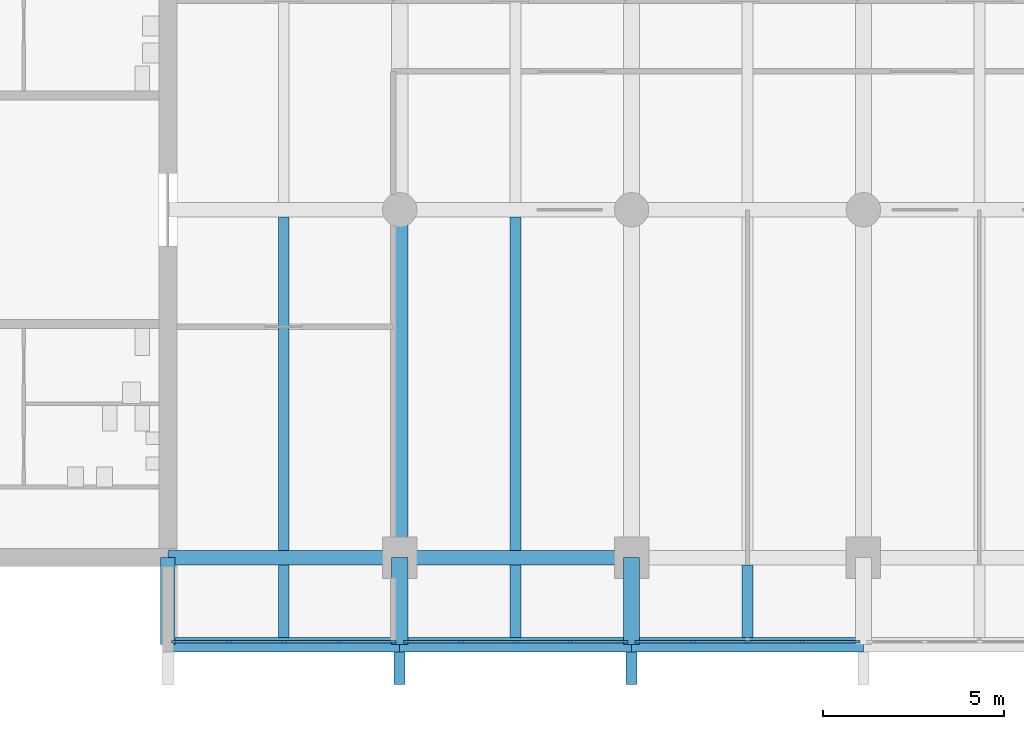
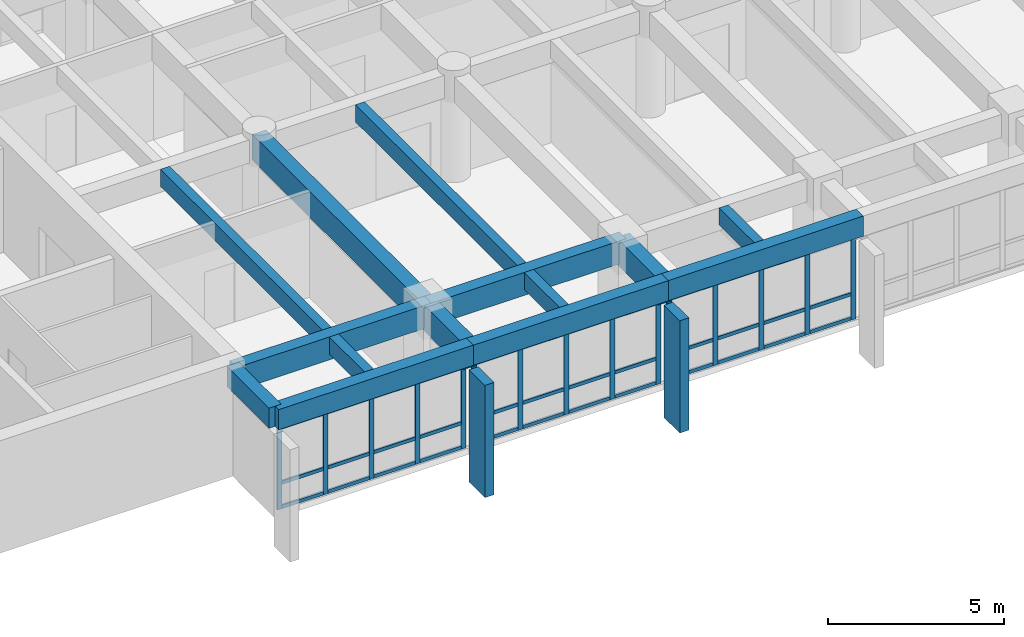
# One storey, part 2 of 15: 52 members, 14 beams, 3 elements without a shape of their own.
"""IFC4 building model written with IfcOpenShell, lengths in metres."""

from ifc_helpers import new_model, si_unit, direction, frame, origin, origin_2d, place, context, subcontext, project, spatial, rectangle, extrude, material, layer, layer_set, material_profile, profile_set, type_object, element, aggregate, save


model = new_model("IFC4")

# Units and contexts
model_context = context("Model", 3, precision=1e-05, world=origin(), true_north=direction((0.0, 1.0)))
body_context = subcontext(model_context, "Body", "Model", "MODEL_VIEW")
ifc_project = project(units=[si_unit("LENGTHUNIT", "METRE"), si_unit("AREAUNIT", "SQUARE_METRE"), si_unit("VOLUMEUNIT", "CUBIC_METRE"), si_unit("PLANEANGLEUNIT", "RADIAN"), si_unit("MASSUNIT", "GRAM", prefix="KILO")], contexts=[model_context])

# Site, building, storey
site_placement = place(None, origin())
site = spatial("IfcSite", under=ifc_project, at=site_placement, CompositionType="ELEMENT")
building_placement = place(site_placement, origin())
building = spatial("IfcBuilding", under=site, at=building_placement, Name="Fogon Plaza Fire Station and Headquarters Tower", CompositionType="ELEMENT")
storey_placement = place(building_placement, frame((0.0, 0.0, 40.5)))
storey = spatial("IfcBuildingStorey", under=building, at=storey_placement, Name="L10", CompositionType="ELEMENT", Elevation=40.5)

# Beams
ifc_material_1 = material(Name="Concrete C40", Category="concrete")
ifc_material_profile_1 = material_profile(ifc_material_1, rectangle(XDim=0.39990234375, YDim=0.699951171875, at=origin_2d()), Name="RC 400x700")
ifc_profile_set_1 = profile_set([ifc_material_profile_1], Name="Concrete C40")
beam_type_1 = type_object("IfcBeamType", Name="BEAM RC 400x700", PredefinedType="BEAM", material=ifc_profile_set_1)
for number, where, z_axis, x_axis, name in (
    (1, (25.60009765625, 31.199951171875, 3.330078125), (1.0, 0.0, 0.0), (0.0, 1.0, 0.0), "beam-L10-039"),
    (2, (32.0, 31.199951171875, 3.330078125), (1.0, 0.0, 0.0), (0.0, 1.0, 0.0), "beam-L10-040"),
):
    element("IfcBeam", number, at=place(storey_placement, frame(where, z_axis=z_axis, x_axis=x_axis)), inside=storey, type_object=beam_type_1, Name=name, PredefinedType="BEAM", context=body_context, shape_type="SweptSolid", body=[
        extrude(rectangle(XDim=0.39990234375, YDim=0.699951171875, at=origin_2d()), origin(), (0.0, 0.0, 1.0), 6.39990234375),
    ])
beam_1_placement = place(storey_placement, frame((38.39990234375, 31.199951171875, 3.330078125), z_axis=(1.0, 0.0, 0.0), x_axis=(0.0, 1.0, 0.0)))
element("IfcBeam", 3, at=beam_1_placement, inside=storey, type_object=beam_type_1, Name="beam-L10-041", PredefinedType="BEAM", context=body_context, shape_type="SweptSolid", body=[
    extrude(rectangle(XDim=0.39990234375, YDim=0.699951171875, at=origin_2d()), origin(), (0.0, 0.0, 1.0), 6.400146484375),
])
ifc_material_2 = material(Name="Concrete C40", Category="concrete")
ifc_material_profile_2 = material_profile(ifc_material_2, rectangle(XDim=0.39990234375, YDim=0.699951171875, at=origin_2d()), Name="RC 400x700")
ifc_profile_set_2 = profile_set([ifc_material_profile_2], Name="Concrete C40")
beam_type_2 = type_object("IfcBeamType", Name="BEAM RC 400x700 SPAN 0.0 TO 3.0 M", PredefinedType="BEAM", material=ifc_profile_set_2)
beam_2_placement = place(storey_placement, frame((25.60009765625, 31.199951171875, 3.330078125), z_axis=(0.0, 1.0, 0.0), x_axis=(-1.0, 0.0, 0.0)))
element("IfcBeam", 4, at=beam_2_placement, inside=storey, type_object=beam_type_2, Name="beam-L10-051", PredefinedType="BEAM", context=body_context, shape_type="SweptSolid", body=[
    extrude(rectangle(XDim=0.39990234375, YDim=0.699951171875, at=origin_2d()), origin(), (0.0, 0.0, 1.0), 2.400146484375),
])
ifc_material_3 = material(Name="Concrete C40", Category="concrete")
ifc_material_profile_3 = material_profile(ifc_material_3, rectangle(XDim=0.39990234375, YDim=0.800048828125, at=origin_2d()), Name="RC 400x800")
ifc_profile_set_3 = profile_set([ifc_material_profile_3], Name="Concrete C40")
beam_type_3 = type_object("IfcBeamType", Name="BEAM RC 400x800", PredefinedType="BEAM", material=ifc_profile_set_3)
for number, where, z_axis, x_axis, name in (
    (5, (25.60009765625, 33.60009765625, 3.280029296875), (1.0, 0.0, 0.0), (0.0, 1.0, 0.0), "beam-L10-021"),
    (6, (32.0, 33.60009765625, 3.280029296875), (1.0, 0.0, 0.0), (0.0, 1.0, 0.0), "beam-L10-022"),
):
    element("IfcBeam", number, at=place(storey_placement, frame(where, z_axis=z_axis, x_axis=x_axis)), inside=storey, type_object=beam_type_3, Name=name, PredefinedType="BEAM", context=body_context, shape_type="SweptSolid", body=[
        extrude(rectangle(XDim=0.39990234375, YDim=0.800048828125, at=origin_2d()), origin(), (0.0, 0.0, 1.0), 6.39990234375),
    ])
ifc_material_4 = material(Name="Concrete C40", Category="concrete")
ifc_material_profile_4 = material_profile(ifc_material_4, rectangle(XDim=0.449951171875, YDim=0.89990234375, at=origin_2d()), Name="RC 450x900")
ifc_profile_set_4 = profile_set([ifc_material_profile_4], Name="Concrete C40")
beam_type_4 = type_object("IfcBeamType", Name="BEAM RC 450x900", PredefinedType="BEAM", material=ifc_profile_set_4)
beam_3_placement = place(storey_placement, frame((32.0, 33.60009765625, 3.22998046875), z_axis=(0.0, 1.0, 0.0), x_axis=(-1.0, 0.0, 0.0)))
element("IfcBeam", 7, at=beam_3_placement, inside=storey, type_object=beam_type_4, Name="beam-L10-002", PredefinedType="BEAM", context=body_context, shape_type="SweptSolid", body=[
    extrude(rectangle(XDim=0.449951171875, YDim=0.89990234375, at=origin_2d()), origin(), (0.0, 0.0, 1.0), 9.599853515625),
])
ifc_material_5 = material(Name="Concrete C40", Category="concrete")
ifc_material_profile_5 = material_profile(ifc_material_5, rectangle(XDim=0.449951171875, YDim=0.89990234375, at=origin_2d()), Name="RC 450x900")
ifc_profile_set_5 = profile_set([ifc_material_profile_5], Name="Concrete C40")
beam_type_5 = type_object("IfcBeamType", Name="BEAM RC 450x900 SPAN 0.0 TO 3.0 M", PredefinedType="BEAM", material=ifc_profile_set_5)
for number, where, z_axis, x_axis, name in (
    (8, (32.0, 31.199951171875, 3.22998046875), (0.0, 1.0, 0.0), (-1.0, 0.0, 0.0), "beam-L10-001"),
    (9, (38.39990234375, 31.199951171875, 3.22998046875), (0.0, 1.0, 0.0), (-1.0, 0.0, 0.0), "beam-L10-005"),
):
    element("IfcBeam", number, at=place(storey_placement, frame(where, z_axis=z_axis, x_axis=x_axis)), inside=storey, type_object=beam_type_5, Name=name, PredefinedType="BEAM", context=body_context, shape_type="SweptSolid", body=[
        extrude(rectangle(XDim=0.449951171875, YDim=0.89990234375, at=origin_2d()), origin(), (0.0, 0.0, 1.0), 2.400146484375),
    ])

# Curtain wall, members
ifc_material_6 = material(Name="Aluminium and glass", Category="aluminium")
ifc_layer = layer(ifc_material_6, 0.14990234375)
ifc_layer_set = layer_set([ifc_layer], Name="Aluminium and glass")
curtain_wall_type = type_object("IfcCurtainWallType", Name="Unitised Curtain Wall Run 6100x2880", PredefinedType="NOTDEFINED", material=ifc_layer_set)
curtain_wall_1_placement = place(storey_placement, origin())
curtain_wall_1 = element("IfcCurtainWall", 10, at=curtain_wall_1_placement, inside=storey, type_object=curtain_wall_type, Name="CW-6100x2880 S1 L10", PredefinedType="NOTDEFINED")
ifc_material_7 = material(Name="Aluminium", Category="aluminium")
ifc_material_profile_6 = material_profile(ifc_material_7, rectangle(XDim=0.06005859375, YDim=0.159912109375, at=origin_2d()), Name="Curtain Wall Mullion 60x160")
ifc_profile_set_6 = profile_set([ifc_material_profile_6], Name="Aluminium")
member_type_1 = type_object("IfcMemberType", Name="Curtain Wall Mullion 60x160", PredefinedType="MULLION", material=ifc_profile_set_6)
member_1_placement = place(storey_placement, frame((25.780029296875, 31.280029296875, 0.0), z_axis=(0.0, 0.0, 1.0), x_axis=(0.0, 1.0, 0.0)))
member_1 = element("IfcMember", 11, at=member_1_placement, type_object=member_type_1, Name="CW-6100x2880 mullion 1", PredefinedType="MULLION", context=body_context, shape_type="SweptSolid", body=[
    extrude(rectangle(XDim=0.06005859375, YDim=0.159912109375, at=origin_2d()), origin(), (0.0, 0.0, 1.0), 2.8798828125),
])
member_2_placement = place(storey_placement, frame((27.2900390625, 31.280029296875, 0.0), z_axis=(0.0, 0.0, 1.0), x_axis=(0.0, 1.0, 0.0)))
member_2 = element("IfcMember", 12, at=member_2_placement, type_object=member_type_1, Name="CW-6100x2880 mullion 2", PredefinedType="MULLION", context=body_context, shape_type="SweptSolid", body=[
    extrude(rectangle(XDim=0.06005859375, YDim=0.159912109375, at=origin_2d()), origin(), (0.0, 0.0, 1.0), 2.8798828125),
])
member_3_placement = place(storey_placement, frame((28.800048828125, 31.280029296875, 0.0), z_axis=(0.0, 0.0, 1.0), x_axis=(0.0, 1.0, 0.0)))
member_3 = element("IfcMember", 13, at=member_3_placement, type_object=member_type_1, Name="CW-6100x2880 mullion 3", PredefinedType="MULLION", context=body_context, shape_type="SweptSolid", body=[
    extrude(rectangle(XDim=0.06005859375, YDim=0.159912109375, at=origin_2d()), origin(), (0.0, 0.0, 1.0), 2.8798828125),
])
member_4_placement = place(storey_placement, frame((30.31005859375, 31.280029296875, 0.0), z_axis=(0.0, 0.0, 1.0), x_axis=(0.0, 1.0, 0.0)))
member_4 = element("IfcMember", 14, at=member_4_placement, type_object=member_type_1, Name="CW-6100x2880 mullion 4", PredefinedType="MULLION", context=body_context, shape_type="SweptSolid", body=[
    extrude(rectangle(XDim=0.06005859375, YDim=0.159912109375, at=origin_2d()), origin(), (0.0, 0.0, 1.0), 2.8798828125),
])
member_5_placement = place(storey_placement, frame((31.820068359375, 31.280029296875, 0.0), z_axis=(0.0, 0.0, 1.0), x_axis=(0.0, 1.0, 0.0)))
member_5 = element("IfcMember", 15, at=member_5_placement, type_object=member_type_1, Name="CW-6100x2880 mullion 5", PredefinedType="MULLION", context=body_context, shape_type="SweptSolid", body=[
    extrude(rectangle(XDim=0.06005859375, YDim=0.159912109375, at=origin_2d()), origin(), (0.0, 0.0, 1.0), 2.8798828125),
])

curtain_wall_2_placement = place(storey_placement, origin())
curtain_wall_2 = element("IfcCurtainWall", 16, at=curtain_wall_2_placement, inside=storey, type_object=curtain_wall_type, Name="CW-6100x2880 S2 L10", PredefinedType="NOTDEFINED")
member_6_placement = place(storey_placement, frame((32.179931640625, 31.280029296875, 0.0), z_axis=(0.0, 0.0, 1.0), x_axis=(0.0, 1.0, 0.0)))
member_6 = element("IfcMember", 17, at=member_6_placement, type_object=member_type_1, Name="CW-6100x2880 mullion 1", PredefinedType="MULLION", context=body_context, shape_type="SweptSolid", body=[
    extrude(rectangle(XDim=0.06005859375, YDim=0.159912109375, at=origin_2d()), origin(), (0.0, 0.0, 1.0), 2.8798828125),
])
member_7_placement = place(storey_placement, frame((33.68994140625, 31.280029296875, 0.0), z_axis=(0.0, 0.0, 1.0), x_axis=(0.0, 1.0, 0.0)))
member_7 = element("IfcMember", 18, at=member_7_placement, type_object=member_type_1, Name="CW-6100x2880 mullion 2", PredefinedType="MULLION", context=body_context, shape_type="SweptSolid", body=[
    extrude(rectangle(XDim=0.06005859375, YDim=0.159912109375, at=origin_2d()), origin(), (0.0, 0.0, 1.0), 2.8798828125),
])
member_8_placement = place(storey_placement, frame((35.199951171875, 31.280029296875, 0.0), z_axis=(0.0, 0.0, 1.0), x_axis=(0.0, 1.0, 0.0)))
member_8 = element("IfcMember", 19, at=member_8_placement, type_object=member_type_1, Name="CW-6100x2880 mullion 3", PredefinedType="MULLION", context=body_context, shape_type="SweptSolid", body=[
    extrude(rectangle(XDim=0.06005859375, YDim=0.159912109375, at=origin_2d()), origin(), (0.0, 0.0, 1.0), 2.8798828125),
])
member_9_placement = place(storey_placement, frame((36.7099609375, 31.280029296875, 0.0), z_axis=(0.0, 0.0, 1.0), x_axis=(0.0, 1.0, 0.0)))
member_9 = element("IfcMember", 20, at=member_9_placement, type_object=member_type_1, Name="CW-6100x2880 mullion 4", PredefinedType="MULLION", context=body_context, shape_type="SweptSolid", body=[
    extrude(rectangle(XDim=0.06005859375, YDim=0.159912109375, at=origin_2d()), origin(), (0.0, 0.0, 1.0), 2.8798828125),
])
member_10_placement = place(storey_placement, frame((38.219970703125, 31.280029296875, 0.0), z_axis=(0.0, 0.0, 1.0), x_axis=(0.0, 1.0, 0.0)))
member_10 = element("IfcMember", 21, at=member_10_placement, type_object=member_type_1, Name="CW-6100x2880 mullion 5", PredefinedType="MULLION", context=body_context, shape_type="SweptSolid", body=[
    extrude(rectangle(XDim=0.06005859375, YDim=0.159912109375, at=origin_2d()), origin(), (0.0, 0.0, 1.0), 2.8798828125),
])

curtain_wall_3_placement = place(storey_placement, origin())
curtain_wall_3 = element("IfcCurtainWall", 22, at=curtain_wall_3_placement, inside=storey, type_object=curtain_wall_type, Name="CW-6100x2880 S3 L10", PredefinedType="NOTDEFINED")
member_11_placement = place(storey_placement, frame((38.580078125, 31.280029296875, 0.0), z_axis=(0.0, 0.0, 1.0), x_axis=(0.0, 1.0, 0.0)))
member_11 = element("IfcMember", 23, at=member_11_placement, type_object=member_type_1, Name="CW-6100x2880 mullion 1", PredefinedType="MULLION", context=body_context, shape_type="SweptSolid", body=[
    extrude(rectangle(XDim=0.06005859375, YDim=0.159912109375, at=origin_2d()), origin(), (0.0, 0.0, 1.0), 2.8798828125),
])
member_12_placement = place(storey_placement, frame((40.090087890625, 31.280029296875, 0.0), z_axis=(0.0, 0.0, 1.0), x_axis=(0.0, 1.0, 0.0)))
member_12 = element("IfcMember", 24, at=member_12_placement, type_object=member_type_1, Name="CW-6100x2880 mullion 2", PredefinedType="MULLION", context=body_context, shape_type="SweptSolid", body=[
    extrude(rectangle(XDim=0.06005859375, YDim=0.159912109375, at=origin_2d()), origin(), (0.0, 0.0, 1.0), 2.8798828125),
])
member_13_placement = place(storey_placement, frame((41.60009765625, 31.280029296875, 0.0), z_axis=(0.0, 0.0, 1.0), x_axis=(0.0, 1.0, 0.0)))
member_13 = element("IfcMember", 25, at=member_13_placement, type_object=member_type_1, Name="CW-6100x2880 mullion 3", PredefinedType="MULLION", context=body_context, shape_type="SweptSolid", body=[
    extrude(rectangle(XDim=0.06005859375, YDim=0.159912109375, at=origin_2d()), origin(), (0.0, 0.0, 1.0), 2.8798828125),
])
member_14_placement = place(storey_placement, frame((43.110107421875, 31.280029296875, 0.0), z_axis=(0.0, 0.0, 1.0), x_axis=(0.0, 1.0, 0.0)))
member_14 = element("IfcMember", 26, at=member_14_placement, type_object=member_type_1, Name="CW-6100x2880 mullion 4", PredefinedType="MULLION", context=body_context, shape_type="SweptSolid", body=[
    extrude(rectangle(XDim=0.06005859375, YDim=0.159912109375, at=origin_2d()), origin(), (0.0, 0.0, 1.0), 2.8798828125),
])
member_15_placement = place(storey_placement, frame((44.6201171875, 31.280029296875, 0.0), z_axis=(0.0, 0.0, 1.0), x_axis=(0.0, 1.0, 0.0)))
member_15 = element("IfcMember", 27, at=member_15_placement, type_object=member_type_1, Name="CW-6100x2880 mullion 5", PredefinedType="MULLION", context=body_context, shape_type="SweptSolid", body=[
    extrude(rectangle(XDim=0.06005859375, YDim=0.159912109375, at=origin_2d()), origin(), (0.0, 0.0, 1.0), 2.8798828125),
])

# Member
ifc_material_8 = material(Name="Aluminium", Category="aluminium")
ifc_material_profile_7 = material_profile(ifc_material_8, rectangle(XDim=0.06005859375, YDim=0.1201171875, at=origin_2d()), Name="Curtain Wall Transom 60x120")
ifc_profile_set_7 = profile_set([ifc_material_profile_7], Name="Aluminium")
member_type_2 = type_object("IfcMemberType", Name="Curtain Wall Transom 60x120", PredefinedType="USERDEFINED", material=ifc_profile_set_7)
member_16_placement = place(storey_placement, frame((25.81005859375, 31.280029296875, 0.06005859375), z_axis=(1.0, 0.0, 0.0), x_axis=(0.0, 1.0, 0.0)))
member_16 = element("IfcMember", 28, at=member_16_placement, type_object=member_type_2, Name="CW-6100x2880 transom 1.1", ObjectType="TRANSOM", PredefinedType="USERDEFINED", context=body_context, shape_type="SweptSolid", body=[
    extrude(rectangle(XDim=0.06005859375, YDim=0.1201171875, at=origin_2d()), origin(), (0.0, 0.0, 1.0), 1.449951171875),
])

member_17_placement = place(storey_placement, frame((25.81005859375, 31.280029296875, 0.89990234375), z_axis=(1.0, 0.0, 0.0), x_axis=(0.0, 1.0, 0.0)))
member_17 = element("IfcMember", 29, at=member_17_placement, type_object=member_type_2, Name="CW-6100x2880 transom 1.2", ObjectType="TRANSOM", PredefinedType="USERDEFINED", context=body_context, shape_type="SweptSolid", body=[
    extrude(rectangle(XDim=0.06005859375, YDim=0.1201171875, at=origin_2d()), origin(), (0.0, 0.0, 1.0), 1.449951171875),
])

member_18_placement = place(storey_placement, frame((25.81005859375, 31.280029296875, 2.820068359375), z_axis=(1.0, 0.0, 0.0), x_axis=(0.0, 1.0, 0.0)))
member_18 = element("IfcMember", 30, at=member_18_placement, type_object=member_type_2, Name="CW-6100x2880 transom 1.3", ObjectType="TRANSOM", PredefinedType="USERDEFINED", context=body_context, shape_type="SweptSolid", body=[
    extrude(rectangle(XDim=0.06005859375, YDim=0.1201171875, at=origin_2d()), origin(), (0.0, 0.0, 1.0), 1.449951171875),
])

member_19_placement = place(storey_placement, frame((27.320068359375, 31.280029296875, 0.06005859375), z_axis=(1.0, 0.0, 0.0), x_axis=(0.0, 1.0, 0.0)))
member_19 = element("IfcMember", 31, at=member_19_placement, type_object=member_type_2, Name="CW-6100x2880 transom 2.1", ObjectType="TRANSOM", PredefinedType="USERDEFINED", context=body_context, shape_type="SweptSolid", body=[
    extrude(rectangle(XDim=0.06005859375, YDim=0.1201171875, at=origin_2d()), origin(), (0.0, 0.0, 1.0), 1.449951171875),
])

member_20_placement = place(storey_placement, frame((27.320068359375, 31.280029296875, 0.89990234375), z_axis=(1.0, 0.0, 0.0), x_axis=(0.0, 1.0, 0.0)))
member_20 = element("IfcMember", 32, at=member_20_placement, type_object=member_type_2, Name="CW-6100x2880 transom 2.2", ObjectType="TRANSOM", PredefinedType="USERDEFINED", context=body_context, shape_type="SweptSolid", body=[
    extrude(rectangle(XDim=0.06005859375, YDim=0.1201171875, at=origin_2d()), origin(), (0.0, 0.0, 1.0), 1.449951171875),
])

member_21_placement = place(storey_placement, frame((27.320068359375, 31.280029296875, 2.820068359375), z_axis=(1.0, 0.0, 0.0), x_axis=(0.0, 1.0, 0.0)))
member_21 = element("IfcMember", 33, at=member_21_placement, type_object=member_type_2, Name="CW-6100x2880 transom 2.3", ObjectType="TRANSOM", PredefinedType="USERDEFINED", context=body_context, shape_type="SweptSolid", body=[
    extrude(rectangle(XDim=0.06005859375, YDim=0.1201171875, at=origin_2d()), origin(), (0.0, 0.0, 1.0), 1.449951171875),
])

member_22_placement = place(storey_placement, frame((28.830078125, 31.280029296875, 0.06005859375), z_axis=(1.0, 0.0, 0.0), x_axis=(0.0, 1.0, 0.0)))
member_22 = element("IfcMember", 34, at=member_22_placement, type_object=member_type_2, Name="CW-6100x2880 transom 3.1", ObjectType="TRANSOM", PredefinedType="USERDEFINED", context=body_context, shape_type="SweptSolid", body=[
    extrude(rectangle(XDim=0.06005859375, YDim=0.1201171875, at=origin_2d()), origin(), (0.0, 0.0, 1.0), 1.449951171875),
])

member_23_placement = place(storey_placement, frame((28.830078125, 31.280029296875, 0.89990234375), z_axis=(1.0, 0.0, 0.0), x_axis=(0.0, 1.0, 0.0)))
member_23 = element("IfcMember", 35, at=member_23_placement, type_object=member_type_2, Name="CW-6100x2880 transom 3.2", ObjectType="TRANSOM", PredefinedType="USERDEFINED", context=body_context, shape_type="SweptSolid", body=[
    extrude(rectangle(XDim=0.06005859375, YDim=0.1201171875, at=origin_2d()), origin(), (0.0, 0.0, 1.0), 1.449951171875),
])

member_24_placement = place(storey_placement, frame((28.830078125, 31.280029296875, 2.820068359375), z_axis=(1.0, 0.0, 0.0), x_axis=(0.0, 1.0, 0.0)))
member_24 = element("IfcMember", 36, at=member_24_placement, type_object=member_type_2, Name="CW-6100x2880 transom 3.3", ObjectType="TRANSOM", PredefinedType="USERDEFINED", context=body_context, shape_type="SweptSolid", body=[
    extrude(rectangle(XDim=0.06005859375, YDim=0.1201171875, at=origin_2d()), origin(), (0.0, 0.0, 1.0), 1.449951171875),
])

member_25_placement = place(storey_placement, frame((30.340087890625, 31.280029296875, 0.06005859375), z_axis=(1.0, 0.0, 0.0), x_axis=(0.0, 1.0, 0.0)))
member_25 = element("IfcMember", 37, at=member_25_placement, type_object=member_type_2, Name="CW-6100x2880 transom 4.1", ObjectType="TRANSOM", PredefinedType="USERDEFINED", context=body_context, shape_type="SweptSolid", body=[
    extrude(rectangle(XDim=0.06005859375, YDim=0.1201171875, at=origin_2d()), origin(), (0.0, 0.0, 1.0), 1.449951171875),
])

member_26_placement = place(storey_placement, frame((30.340087890625, 31.280029296875, 0.89990234375), z_axis=(1.0, 0.0, 0.0), x_axis=(0.0, 1.0, 0.0)))
member_26 = element("IfcMember", 38, at=member_26_placement, type_object=member_type_2, Name="CW-6100x2880 transom 4.2", ObjectType="TRANSOM", PredefinedType="USERDEFINED", context=body_context, shape_type="SweptSolid", body=[
    extrude(rectangle(XDim=0.06005859375, YDim=0.1201171875, at=origin_2d()), origin(), (0.0, 0.0, 1.0), 1.449951171875),
])

member_27_placement = place(storey_placement, frame((30.340087890625, 31.280029296875, 2.820068359375), z_axis=(1.0, 0.0, 0.0), x_axis=(0.0, 1.0, 0.0)))
member_27 = element("IfcMember", 39, at=member_27_placement, type_object=member_type_2, Name="CW-6100x2880 transom 4.3", ObjectType="TRANSOM", PredefinedType="USERDEFINED", context=body_context, shape_type="SweptSolid", body=[
    extrude(rectangle(XDim=0.06005859375, YDim=0.1201171875, at=origin_2d()), origin(), (0.0, 0.0, 1.0), 1.449951171875),
])

aggregate(curtain_wall_1, [member_1, member_2, member_3, member_4, member_5, member_16, member_17, member_18, member_19, member_20, member_21, member_22, member_23, member_24, member_25, member_26, member_27])

member_28_placement = place(storey_placement, frame((32.2099609375, 31.280029296875, 0.06005859375), z_axis=(1.0, 0.0, 0.0), x_axis=(0.0, 1.0, 0.0)))
member_28 = element("IfcMember", 40, at=member_28_placement, type_object=member_type_2, Name="CW-6100x2880 transom 1.1", ObjectType="TRANSOM", PredefinedType="USERDEFINED", context=body_context, shape_type="SweptSolid", body=[
    extrude(rectangle(XDim=0.06005859375, YDim=0.1201171875, at=origin_2d()), origin(), (0.0, 0.0, 1.0), 1.449951171875),
])

member_29_placement = place(storey_placement, frame((32.2099609375, 31.280029296875, 0.89990234375), z_axis=(1.0, 0.0, 0.0), x_axis=(0.0, 1.0, 0.0)))
member_29 = element("IfcMember", 41, at=member_29_placement, type_object=member_type_2, Name="CW-6100x2880 transom 1.2", ObjectType="TRANSOM", PredefinedType="USERDEFINED", context=body_context, shape_type="SweptSolid", body=[
    extrude(rectangle(XDim=0.06005859375, YDim=0.1201171875, at=origin_2d()), origin(), (0.0, 0.0, 1.0), 1.449951171875),
])

member_30_placement = place(storey_placement, frame((32.2099609375, 31.280029296875, 2.820068359375), z_axis=(1.0, 0.0, 0.0), x_axis=(0.0, 1.0, 0.0)))
member_30 = element("IfcMember", 42, at=member_30_placement, type_object=member_type_2, Name="CW-6100x2880 transom 1.3", ObjectType="TRANSOM", PredefinedType="USERDEFINED", context=body_context, shape_type="SweptSolid", body=[
    extrude(rectangle(XDim=0.06005859375, YDim=0.1201171875, at=origin_2d()), origin(), (0.0, 0.0, 1.0), 1.449951171875),
])

member_31_placement = place(storey_placement, frame((33.719970703125, 31.280029296875, 0.06005859375), z_axis=(1.0, 0.0, 0.0), x_axis=(0.0, 1.0, 0.0)))
member_31 = element("IfcMember", 43, at=member_31_placement, type_object=member_type_2, Name="CW-6100x2880 transom 2.1", ObjectType="TRANSOM", PredefinedType="USERDEFINED", context=body_context, shape_type="SweptSolid", body=[
    extrude(rectangle(XDim=0.06005859375, YDim=0.1201171875, at=origin_2d()), origin(), (0.0, 0.0, 1.0), 1.449951171875),
])

member_32_placement = place(storey_placement, frame((33.719970703125, 31.280029296875, 0.89990234375), z_axis=(1.0, 0.0, 0.0), x_axis=(0.0, 1.0, 0.0)))
member_32 = element("IfcMember", 44, at=member_32_placement, type_object=member_type_2, Name="CW-6100x2880 transom 2.2", ObjectType="TRANSOM", PredefinedType="USERDEFINED", context=body_context, shape_type="SweptSolid", body=[
    extrude(rectangle(XDim=0.06005859375, YDim=0.1201171875, at=origin_2d()), origin(), (0.0, 0.0, 1.0), 1.449951171875),
])

member_33_placement = place(storey_placement, frame((33.719970703125, 31.280029296875, 2.820068359375), z_axis=(1.0, 0.0, 0.0), x_axis=(0.0, 1.0, 0.0)))
member_33 = element("IfcMember", 45, at=member_33_placement, type_object=member_type_2, Name="CW-6100x2880 transom 2.3", ObjectType="TRANSOM", PredefinedType="USERDEFINED", context=body_context, shape_type="SweptSolid", body=[
    extrude(rectangle(XDim=0.06005859375, YDim=0.1201171875, at=origin_2d()), origin(), (0.0, 0.0, 1.0), 1.449951171875),
])

member_34_placement = place(storey_placement, frame((35.22998046875, 31.280029296875, 0.06005859375), z_axis=(1.0, 0.0, 0.0), x_axis=(0.0, 1.0, 0.0)))
member_34 = element("IfcMember", 46, at=member_34_placement, type_object=member_type_2, Name="CW-6100x2880 transom 3.1", ObjectType="TRANSOM", PredefinedType="USERDEFINED", context=body_context, shape_type="SweptSolid", body=[
    extrude(rectangle(XDim=0.06005859375, YDim=0.1201171875, at=origin_2d()), origin(), (0.0, 0.0, 1.0), 1.449951171875),
])

member_35_placement = place(storey_placement, frame((35.22998046875, 31.280029296875, 0.89990234375), z_axis=(1.0, 0.0, 0.0), x_axis=(0.0, 1.0, 0.0)))
member_35 = element("IfcMember", 47, at=member_35_placement, type_object=member_type_2, Name="CW-6100x2880 transom 3.2", ObjectType="TRANSOM", PredefinedType="USERDEFINED", context=body_context, shape_type="SweptSolid", body=[
    extrude(rectangle(XDim=0.06005859375, YDim=0.1201171875, at=origin_2d()), origin(), (0.0, 0.0, 1.0), 1.449951171875),
])

member_36_placement = place(storey_placement, frame((35.22998046875, 31.280029296875, 2.820068359375), z_axis=(1.0, 0.0, 0.0), x_axis=(0.0, 1.0, 0.0)))
member_36 = element("IfcMember", 48, at=member_36_placement, type_object=member_type_2, Name="CW-6100x2880 transom 3.3", ObjectType="TRANSOM", PredefinedType="USERDEFINED", context=body_context, shape_type="SweptSolid", body=[
    extrude(rectangle(XDim=0.06005859375, YDim=0.1201171875, at=origin_2d()), origin(), (0.0, 0.0, 1.0), 1.449951171875),
])

member_37_placement = place(storey_placement, frame((36.739990234375, 31.280029296875, 0.06005859375), z_axis=(1.0, 0.0, 0.0), x_axis=(0.0, 1.0, 0.0)))
member_37 = element("IfcMember", 49, at=member_37_placement, type_object=member_type_2, Name="CW-6100x2880 transom 4.1", ObjectType="TRANSOM", PredefinedType="USERDEFINED", context=body_context, shape_type="SweptSolid", body=[
    extrude(rectangle(XDim=0.06005859375, YDim=0.1201171875, at=origin_2d()), origin(), (0.0, 0.0, 1.0), 1.449951171875),
])

member_38_placement = place(storey_placement, frame((36.739990234375, 31.280029296875, 0.89990234375), z_axis=(1.0, 0.0, 0.0), x_axis=(0.0, 1.0, 0.0)))
member_38 = element("IfcMember", 50, at=member_38_placement, type_object=member_type_2, Name="CW-6100x2880 transom 4.2", ObjectType="TRANSOM", PredefinedType="USERDEFINED", context=body_context, shape_type="SweptSolid", body=[
    extrude(rectangle(XDim=0.06005859375, YDim=0.1201171875, at=origin_2d()), origin(), (0.0, 0.0, 1.0), 1.449951171875),
])

member_39_placement = place(storey_placement, frame((36.739990234375, 31.280029296875, 2.820068359375), z_axis=(1.0, 0.0, 0.0), x_axis=(0.0, 1.0, 0.0)))
member_39 = element("IfcMember", 51, at=member_39_placement, type_object=member_type_2, Name="CW-6100x2880 transom 4.3", ObjectType="TRANSOM", PredefinedType="USERDEFINED", context=body_context, shape_type="SweptSolid", body=[
    extrude(rectangle(XDim=0.06005859375, YDim=0.1201171875, at=origin_2d()), origin(), (0.0, 0.0, 1.0), 1.449951171875),
])

aggregate(curtain_wall_2, [member_6, member_7, member_8, member_9, member_10, member_28, member_29, member_30, member_31, member_32, member_33, member_34, member_35, member_36, member_37, member_38, member_39])

member_40_placement = place(storey_placement, frame((38.610107421875, 31.280029296875, 0.06005859375), z_axis=(1.0, 0.0, 0.0), x_axis=(0.0, 1.0, 0.0)))
member_40 = element("IfcMember", 52, at=member_40_placement, type_object=member_type_2, Name="CW-6100x2880 transom 1.1", ObjectType="TRANSOM", PredefinedType="USERDEFINED", context=body_context, shape_type="SweptSolid", body=[
    extrude(rectangle(XDim=0.06005859375, YDim=0.1201171875, at=origin_2d()), origin(), (0.0, 0.0, 1.0), 1.449951171875),
])

member_41_placement = place(storey_placement, frame((38.610107421875, 31.280029296875, 0.89990234375), z_axis=(1.0, 0.0, 0.0), x_axis=(0.0, 1.0, 0.0)))
member_41 = element("IfcMember", 53, at=member_41_placement, type_object=member_type_2, Name="CW-6100x2880 transom 1.2", ObjectType="TRANSOM", PredefinedType="USERDEFINED", context=body_context, shape_type="SweptSolid", body=[
    extrude(rectangle(XDim=0.06005859375, YDim=0.1201171875, at=origin_2d()), origin(), (0.0, 0.0, 1.0), 1.449951171875),
])

member_42_placement = place(storey_placement, frame((38.610107421875, 31.280029296875, 2.820068359375), z_axis=(1.0, 0.0, 0.0), x_axis=(0.0, 1.0, 0.0)))
member_42 = element("IfcMember", 54, at=member_42_placement, type_object=member_type_2, Name="CW-6100x2880 transom 1.3", ObjectType="TRANSOM", PredefinedType="USERDEFINED", context=body_context, shape_type="SweptSolid", body=[
    extrude(rectangle(XDim=0.06005859375, YDim=0.1201171875, at=origin_2d()), origin(), (0.0, 0.0, 1.0), 1.449951171875),
])

member_43_placement = place(storey_placement, frame((40.1201171875, 31.280029296875, 0.06005859375), z_axis=(1.0, 0.0, 0.0), x_axis=(0.0, 1.0, 0.0)))
member_43 = element("IfcMember", 55, at=member_43_placement, type_object=member_type_2, Name="CW-6100x2880 transom 2.1", ObjectType="TRANSOM", PredefinedType="USERDEFINED", context=body_context, shape_type="SweptSolid", body=[
    extrude(rectangle(XDim=0.06005859375, YDim=0.1201171875, at=origin_2d()), origin(), (0.0, 0.0, 1.0), 1.449951171875),
])

member_44_placement = place(storey_placement, frame((40.1201171875, 31.280029296875, 0.89990234375), z_axis=(1.0, 0.0, 0.0), x_axis=(0.0, 1.0, 0.0)))
member_44 = element("IfcMember", 56, at=member_44_placement, type_object=member_type_2, Name="CW-6100x2880 transom 2.2", ObjectType="TRANSOM", PredefinedType="USERDEFINED", context=body_context, shape_type="SweptSolid", body=[
    extrude(rectangle(XDim=0.06005859375, YDim=0.1201171875, at=origin_2d()), origin(), (0.0, 0.0, 1.0), 1.449951171875),
])

member_45_placement = place(storey_placement, frame((40.1201171875, 31.280029296875, 2.820068359375), z_axis=(1.0, 0.0, 0.0), x_axis=(0.0, 1.0, 0.0)))
member_45 = element("IfcMember", 57, at=member_45_placement, type_object=member_type_2, Name="CW-6100x2880 transom 2.3", ObjectType="TRANSOM", PredefinedType="USERDEFINED", context=body_context, shape_type="SweptSolid", body=[
    extrude(rectangle(XDim=0.06005859375, YDim=0.1201171875, at=origin_2d()), origin(), (0.0, 0.0, 1.0), 1.449951171875),
])

member_46_placement = place(storey_placement, frame((41.6298828125, 31.280029296875, 0.06005859375), z_axis=(1.0, 0.0, 0.0), x_axis=(0.0, 1.0, 0.0)))
member_46 = element("IfcMember", 58, at=member_46_placement, type_object=member_type_2, Name="CW-6100x2880 transom 3.1", ObjectType="TRANSOM", PredefinedType="USERDEFINED", context=body_context, shape_type="SweptSolid", body=[
    extrude(rectangle(XDim=0.06005859375, YDim=0.1201171875, at=origin_2d()), origin(), (0.0, 0.0, 1.0), 1.4501953125),
])

member_47_placement = place(storey_placement, frame((41.6298828125, 31.280029296875, 0.89990234375), z_axis=(1.0, 0.0, 0.0), x_axis=(0.0, 1.0, 0.0)))
member_47 = element("IfcMember", 59, at=member_47_placement, type_object=member_type_2, Name="CW-6100x2880 transom 3.2", ObjectType="TRANSOM", PredefinedType="USERDEFINED", context=body_context, shape_type="SweptSolid", body=[
    extrude(rectangle(XDim=0.06005859375, YDim=0.1201171875, at=origin_2d()), origin(), (0.0, 0.0, 1.0), 1.4501953125),
])

member_48_placement = place(storey_placement, frame((41.6298828125, 31.280029296875, 2.820068359375), z_axis=(1.0, 0.0, 0.0), x_axis=(0.0, 1.0, 0.0)))
member_48 = element("IfcMember", 60, at=member_48_placement, type_object=member_type_2, Name="CW-6100x2880 transom 3.3", ObjectType="TRANSOM", PredefinedType="USERDEFINED", context=body_context, shape_type="SweptSolid", body=[
    extrude(rectangle(XDim=0.06005859375, YDim=0.1201171875, at=origin_2d()), origin(), (0.0, 0.0, 1.0), 1.4501953125),
])

member_49_placement = place(storey_placement, frame((43.139892578125, 31.280029296875, 0.06005859375), z_axis=(1.0, 0.0, 0.0), x_axis=(0.0, 1.0, 0.0)))
member_49 = element("IfcMember", 61, at=member_49_placement, type_object=member_type_2, Name="CW-6100x2880 transom 4.1", ObjectType="TRANSOM", PredefinedType="USERDEFINED", context=body_context, shape_type="SweptSolid", body=[
    extrude(rectangle(XDim=0.06005859375, YDim=0.1201171875, at=origin_2d()), origin(), (0.0, 0.0, 1.0), 1.4501953125),
])

member_50_placement = place(storey_placement, frame((43.139892578125, 31.280029296875, 0.89990234375), z_axis=(1.0, 0.0, 0.0), x_axis=(0.0, 1.0, 0.0)))
member_50 = element("IfcMember", 62, at=member_50_placement, type_object=member_type_2, Name="CW-6100x2880 transom 4.2", ObjectType="TRANSOM", PredefinedType="USERDEFINED", context=body_context, shape_type="SweptSolid", body=[
    extrude(rectangle(XDim=0.06005859375, YDim=0.1201171875, at=origin_2d()), origin(), (0.0, 0.0, 1.0), 1.4501953125),
])

aggregate(curtain_wall_3, [member_11, member_12, member_13, member_14, member_15, member_40, member_41, member_42, member_43, member_44, member_45, member_46, member_47, member_48, member_49, member_50])

# Beams
ifc_material_9 = material(Name="Concrete C40", Category="concrete")
ifc_material_profile_8 = material_profile(ifc_material_9, rectangle(XDim=0.300048828125, YDim=0.60009765625, at=origin_2d()), Name="RC 300x600")
ifc_profile_set_8 = profile_set([ifc_material_profile_8], Name="Concrete C40")
beam_type_6 = type_object("IfcBeamType", Name="JOIST RC 300x600", PredefinedType="JOIST", material=ifc_profile_set_8)
for number, where, z_axis, x_axis, name in (
    (63, (28.800048828125, 33.800048828125, 3.3798828125), (0.0, 1.0, 0.0), (-1.0, 0.0, 0.0), "beam-L10-056"),
    (64, (35.199951171875, 33.800048828125, 3.3798828125), (0.0, 1.0, 0.0), (-1.0, 0.0, 0.0), "beam-L10-060"),
):
    element("IfcBeam", number, at=place(storey_placement, frame(where, z_axis=z_axis, x_axis=x_axis)), inside=storey, type_object=beam_type_6, Name=name, PredefinedType="JOIST", context=body_context, shape_type="SweptSolid", body=[
        extrude(rectangle(XDim=0.300048828125, YDim=0.60009765625, at=origin_2d()), origin(), (0.0, 0.0, 1.0), 9.199951171875),
    ])
ifc_material_10 = material(Name="Concrete C40", Category="concrete")
ifc_material_profile_9 = material_profile(ifc_material_10, rectangle(XDim=0.300048828125, YDim=0.60009765625, at=origin_2d()), Name="RC 300x600")
ifc_profile_set_9 = profile_set([ifc_material_profile_9], Name="Concrete C40")
beam_type_7 = type_object("IfcBeamType", Name="JOIST RC 300x600 SPAN 0.0 TO 3.0 M", PredefinedType="JOIST", material=ifc_profile_set_9)
for number, where, z_axis, x_axis, name in (
    (65, (28.800048828125, 31.39990234375, 3.3798828125), (0.0, 1.0, 0.0), (-1.0, 0.0, 0.0), "beam-L10-055"),
    (66, (35.199951171875, 31.39990234375, 3.3798828125), (0.0, 1.0, 0.0), (-1.0, 0.0, 0.0), "beam-L10-059"),
    (67, (41.60009765625, 31.39990234375, 3.3798828125), (0.0, 1.0, 0.0), (-1.0, 0.0, 0.0), "beam-L10-063"),
):
    element("IfcBeam", number, at=place(storey_placement, frame(where, z_axis=z_axis, x_axis=x_axis)), inside=storey, type_object=beam_type_7, Name=name, PredefinedType="JOIST", context=body_context, shape_type="SweptSolid", body=[
        extrude(rectangle(XDim=0.300048828125, YDim=0.60009765625, at=origin_2d()), origin(), (0.0, 0.0, 1.0), 2.0),
    ])

# Members
ifc_material_11 = material(Name="Concrete C40 precast", Category="concrete")
ifc_material_profile_10 = material_profile(ifc_material_11, rectangle(XDim=0.300048828125, YDim=0.89990234375, at=origin_2d()), Name="Precast Concrete Post 300x900")
ifc_profile_set_10 = profile_set([ifc_material_profile_10], Name="Concrete C40 precast")
member_type_3 = type_object("IfcMemberType", Name="Precast Concrete Post 300x900", PredefinedType="POST", material=ifc_profile_set_10)
for number, where, z_axis, x_axis, name in (
    (68, (32.0, 30.550048828125, -1.02001953125), (0.0, 0.0, 1.0), (1.0, 0.0, 0.0), "Precast Post S L10"),
    (69, (38.39990234375, 30.550048828125, -1.02001953125), (0.0, 0.0, 1.0), (1.0, 0.0, 0.0), "Precast Post S L10"),
):
    element("IfcMember", number, at=place(storey_placement, frame(where, z_axis=z_axis, x_axis=x_axis)), inside=storey, type_object=member_type_3, Name=name, PredefinedType="POST", context=body_context, shape_type="SweptSolid", body=[
        extrude(rectangle(XDim=0.300048828125, YDim=0.89990234375, at=origin_2d()), origin(), (0.0, 0.0, 1.0), 3.89990234375),
    ])

save(model, "model.ifc")
